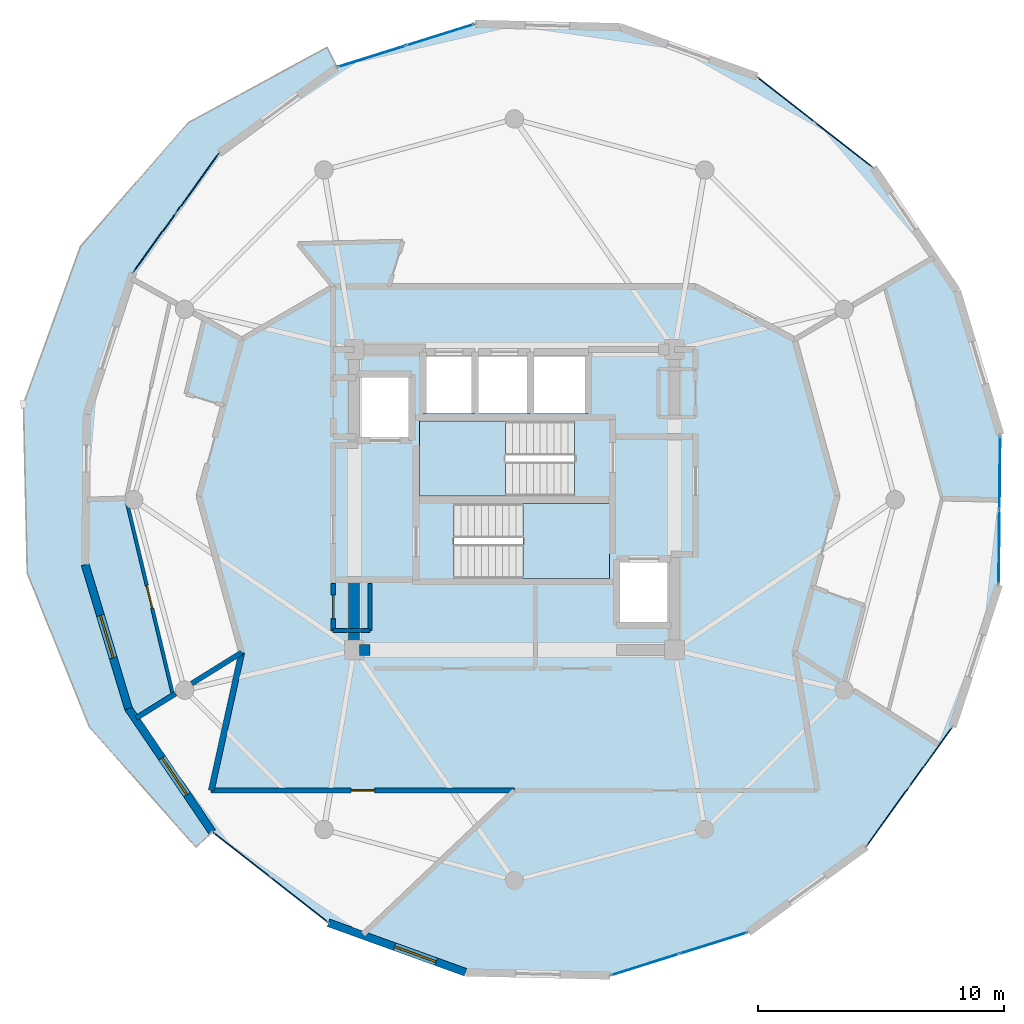
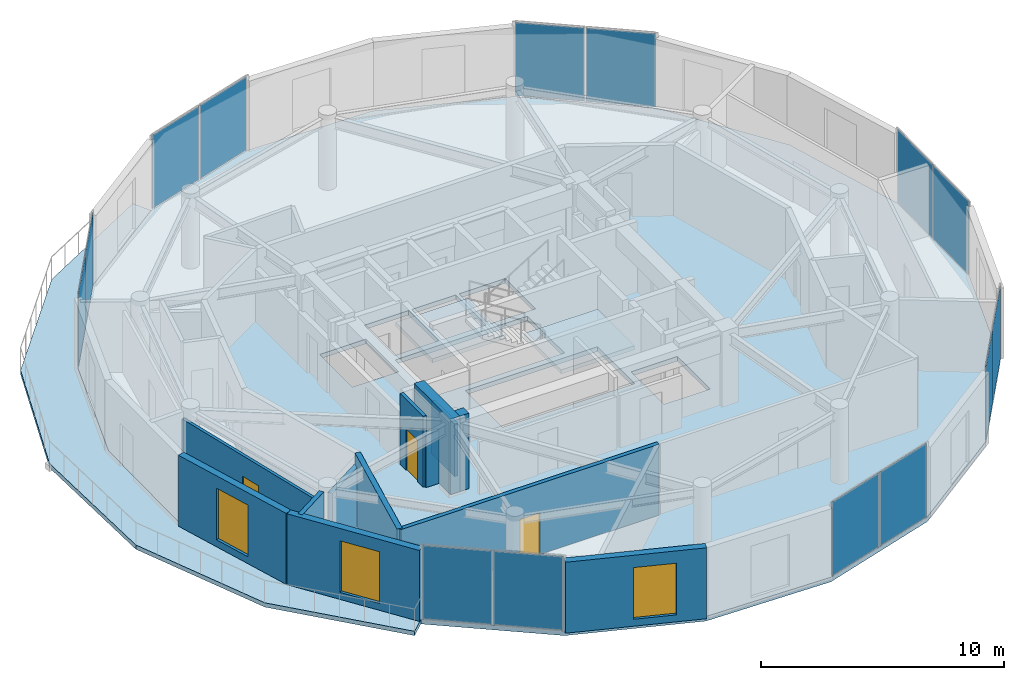
# One storey, part 14 of 19: 14 plates, 13 walls, 4 slabs, 3 doors, 3 windows, 6 openings, 9 elements without a shape of their own.
"""IFC4 building model written with IfcOpenShell, lengths in metres."""

import ifcopenshell
import ifcopenshell.guid

model = None  # the IFC model being written
_history = None  # IfcOwnerHistory: only IFC2X3 demands one
_inside = {}  # id of a spatial element -> (the spatial element, [elements in it])
_under = {}  # id of a project, library or spatial element -> (it, [spatial elements below it])
_declared = {}  # id of a project -> (the project, [libraries it declares])
_typed = {}  # id of a type object -> (the type object, [elements of that type])
_made_of = {}  # id of a material, layer set ... -> (it, [elements and type objects made of it])


def new_model(schema):
    """Start an empty IFC model of exactly this schema.

    Asked for "IFC4X3", IfcOpenShell would pick the latest addendum, in which some entities
    have other attributes; the version numbers below select the first issue.
    IFC2X3 requires an IfcOwnerHistory on every rooted entity: one is made here for all.
    """
    global model, _history
    if schema == "IFC4X3":
        model = ifcopenshell.file(schema_version=(4, 3, 0, 0))
    else:
        model = ifcopenshell.file(schema=schema)
    _inside.clear()
    _under.clear()
    _declared.clear()
    _typed.clear()
    _made_of.clear()
    _history = None
    if model.schema == "IFC2X3":
        org = make("IfcOrganization", Name="unknown")
        user = make(
            "IfcPersonAndOrganization",
            ThePerson=make("IfcPerson", FamilyName="unknown"),
            TheOrganization=org,
        )
        app = make(
            "IfcApplication",
            ApplicationDeveloper=org,
            Version="unknown",
            ApplicationFullName="unknown",
            ApplicationIdentifier="unknown",
        )
        _history = make(
            "IfcOwnerHistory",
            OwningUser=user,
            OwningApplication=app,
            ChangeAction="ADDED",
            CreationDate=0,
        )
    return model


def make(cls, **values):
    """One entity of the class cls with the attributes given. An attribute that is None is left unset."""
    return model.create_entity(
        cls, **{name: value for name, value in values.items() if value is not None}
    )


def rooted(cls, **values):
    """An entity with a GlobalId (a new one), such as an element, a storey or a relation."""
    return make(cls, GlobalId=ifcopenshell.guid.new(), OwnerHistory=_history, **values)


def si_unit(unit_type, name, prefix=None):
    """IfcSIUnit, for example si_unit("LENGTHUNIT", "METRE", prefix="MILLI")."""
    return make("IfcSIUnit", UnitType=unit_type, Prefix=prefix, Name=name)


def assignment(units):
    """IfcUnitAssignment: the units of a project."""
    return None if units is None else make("IfcUnitAssignment", Units=units)


def point(xyz):
    """IfcCartesianPoint."""
    return None if xyz is None else make("IfcCartesianPoint", Coordinates=xyz)


def direction(xyz):
    """IfcDirection."""
    return None if xyz is None else make("IfcDirection", DirectionRatios=xyz)


def frame(location, z_axis=None, x_axis=None):
    """IfcAxis2Placement3D, a coordinate frame: its origin and axes. An axis left out is left unset."""
    return make(
        "IfcAxis2Placement3D",
        Location=point(location),
        Axis=direction(z_axis),
        RefDirection=direction(x_axis),
    )


def frame_2d(location, x_axis=None):
    """IfcAxis2Placement2D, a coordinate frame in the plane: its origin and x axis."""
    return make(
        "IfcAxis2Placement2D", Location=point(location), RefDirection=direction(x_axis)
    )


def origin():
    """The frame at (0, 0, 0) with its axes left unset."""
    return frame((0.0, 0.0, 0.0))


def origin_2d():
    """The frame at (0, 0) in the plane with its x axis left unset."""
    return frame_2d((0.0, 0.0))


def place(relative_to, where):
    """IfcLocalPlacement: puts the frame where relative to a parent placement (None: the world)."""
    return make(
        "IfcLocalPlacement", PlacementRelTo=relative_to, RelativePlacement=where
    )


def context(
    kind, dimensions, precision=None, world=None, true_north=None, identifier=None
):
    """IfcGeometricRepresentationContext, for example the 3D "Model" context."""
    return make(
        "IfcGeometricRepresentationContext",
        ContextIdentifier=identifier,
        ContextType=kind,
        CoordinateSpaceDimension=dimensions,
        Precision=precision,
        WorldCoordinateSystem=world,
        TrueNorth=true_north,
    )


def subcontext(parent, identifier, kind, view, scale=None):
    """IfcGeometricRepresentationSubContext, for example "Body" below "Model"."""
    return make(
        "IfcGeometricRepresentationSubContext",
        ContextIdentifier=identifier,
        ContextType=kind,
        ParentContext=parent,
        TargetScale=scale,
        TargetView=view,
    )


def project(units=None, contexts=None):
    """IfcProject with its units and contexts."""
    return rooted(
        "IfcProject",
        Name="project",
        RepresentationContexts=contexts,
        UnitsInContext=assignment(units),
    )


def spatial(cls, under=None, at=None, **own):
    """A site, building, storey or space (cls), placed at a placement, below another one or the project."""
    s = rooted(cls, ObjectPlacement=at, **own)
    if under is not None:
        _under.setdefault(under.id(), (under, []))[1].append(s)
    return s


def polyline(points):
    """IfcPolyline through the points."""
    return make("IfcPolyline", Points=[point(p) for p in points])


def profile(cls, at=None, kind="AREA", **sizes):
    """A parametric profile (cls). Its sizes go by their IFC names, for example OverallWidth=200.0."""
    return make(cls, ProfileType=kind, Position=at, **sizes)


def rectangle(**sizes):
    """IfcRectangleProfileDef."""
    return profile("IfcRectangleProfileDef", **sizes)


def outline(outer, holes=None, kind="AREA"):
    """IfcArbitraryClosedProfileDef: a profile drawn as a closed curve; with holes, ...WithVoids."""
    if holes is None:
        return make("IfcArbitraryClosedProfileDef", ProfileType=kind, OuterCurve=outer)
    return make(
        "IfcArbitraryProfileDefWithVoids",
        ProfileType=kind,
        OuterCurve=outer,
        InnerCurves=holes,
    )


def extrude(swept, where, along, depth):
    """IfcExtrudedAreaSolid: the profile swept, set in the frame where, extruded along a direction by depth."""
    return make(
        "IfcExtrudedAreaSolid",
        SweptArea=swept,
        Position=where,
        ExtrudedDirection=direction(along),
        Depth=depth,
    )


def shape(context_of_items, identifier, shape_type, items):
    """IfcShapeRepresentation: the items that make up one representation, for example the "Body"."""
    return make(
        "IfcShapeRepresentation",
        ContextOfItems=context_of_items,
        RepresentationIdentifier=identifier,
        RepresentationType=shape_type,
        Items=items,
    )


def source(mapping_origin, context_of_items, identifier, shape_type, items):
    """IfcRepresentationMap: a shape defined once, which mapped items show again and again."""
    return make(
        "IfcRepresentationMap",
        MappingOrigin=mapping_origin,
        MappedRepresentation=shape(context_of_items, identifier, shape_type, items),
    )


def transform(
    local_origin,
    x_axis=None,
    y_axis=None,
    z_axis=None,
    scale=None,
    scale2=None,
    scale3=None,
    uniform=True,
):
    """IfcCartesianTransformationOperator3D, or its non-uniform kind. x_axis, y_axis, z_axis: its Axis1, 2, 3."""
    if uniform:
        return make(
            "IfcCartesianTransformationOperator3D",
            Axis1=direction(x_axis),
            Axis2=direction(y_axis),
            LocalOrigin=point(local_origin),
            Scale=scale,
            Axis3=direction(z_axis),
        )
    return make(
        "IfcCartesianTransformationOperator3DnonUniform",
        Axis1=direction(x_axis),
        Axis2=direction(y_axis),
        LocalOrigin=point(local_origin),
        Scale=scale,
        Axis3=direction(z_axis),
        Scale2=scale2,
        Scale3=scale3,
    )


def mapped(mapping_source, mapping_target):
    """IfcMappedItem: shows the shape of a source again, moved by a transform."""
    return make(
        "IfcMappedItem", MappingSource=mapping_source, MappingTarget=mapping_target
    )


def material(Name=None, Category=None):
    """IfcMaterial."""
    return make("IfcMaterial", Name=Name, Category=Category)


def layer(
    of_material, thickness, ventilated=None, Name=None, Category=None, Priority=None
):
    """IfcMaterialLayer: one layer of a wall or slab, of a material (None: an air gap)."""
    return make(
        "IfcMaterialLayer",
        Material=of_material,
        LayerThickness=thickness,
        IsVentilated=ventilated,
        Name=Name,
        Category=Category,
        Priority=Priority,
    )


def layer_set(layers, Name=None):
    """IfcMaterialLayerSet."""
    return make("IfcMaterialLayerSet", MaterialLayers=layers, LayerSetName=Name)


def made_of(thing, what):
    """Note that an element or type object is made of a material, layer set ...; save() writes the relation."""
    if what is not None:
        _made_of.setdefault(what.id(), (what, []))[1].append(thing)
    return thing


def type_object(cls, material=None, **own):
    """A type object (cls), such as IfcWallType, which elements share."""
    return made_of(rooted(cls, **own), material)


def element(
    cls,
    number,
    at=None,
    inside=None,
    cuts=None,
    type_object=None,
    material=None,
    context=None,
    identifier="Body",
    shape_type=None,
    held_by="IfcProductDefinitionShape",
    body=None,
    shapes=None,
    **own,
):
    """One element of the class cls, such as IfcWall. Its Tag is "e" and its number.

    at: its placement. inside: the storey or other place that contains it. cuts: it is an
    opening in that element (IfcRelVoidsElement). A single representation is given by context,
    identifier, shape_type and body (its items); several are given by shapes. held_by: the class
    of the entity that holds the representations. save() writes the other relations.
    """
    e = rooted(cls, Tag="e%d" % number, ObjectPlacement=at, **own)
    if body is not None:
        shapes = [shape(context, identifier, shape_type, body)]
    if shapes is not None:
        e.Representation = make(held_by, Representations=shapes)
    if inside is not None:
        _inside.setdefault(inside.id(), (inside, []))[1].append(e)
    if cuts is not None:
        rooted(
            "IfcRelVoidsElement", RelatingBuildingElement=cuts, RelatedOpeningElement=e
        )
    if type_object is not None:
        _typed.setdefault(type_object.id(), (type_object, []))[1].append(e)
    return made_of(e, material)


def fill(opening, filler):
    """IfcRelFillsElement: the door or window that sits in an opening."""
    return rooted(
        "IfcRelFillsElement",
        RelatingOpeningElement=opening,
        RelatedBuildingElement=filler,
    )


def aggregate(whole, parts):
    """IfcRelAggregates: a whole, such as a stair, and the parts it consists of."""
    return rooted("IfcRelAggregates", RelatingObject=whole, RelatedObjects=parts)


def save(model, path):
    """Write the relations noted so far, then the file.

    IfcRelAggregates (storeys below a building ...), IfcRelContainedInSpatialStructure (elements
    in a storey), IfcRelDefinesByType, IfcRelAssociatesMaterial and IfcRelDeclares: one each for
    every whole, place, type object, material and project.
    """
    for whole, parts in _under.values():
        aggregate(whole, parts)
    for where, things in _inside.values():
        rooted(
            "IfcRelContainedInSpatialStructure",
            RelatedElements=things,
            RelatingStructure=where,
        )
    for kind, things in _typed.values():
        rooted("IfcRelDefinesByType", RelatedObjects=things, RelatingType=kind)
    for what, things in _made_of.values():
        rooted("IfcRelAssociatesMaterial", RelatedObjects=things, RelatingMaterial=what)
    for by, libraries in _declared.values():
        rooted("IfcRelDeclares", RelatingContext=by, RelatedDefinitions=libraries)
    model.write(path)


model = new_model("IFC4")

# Units and contexts
model_context = context("Model", 3, precision=1e-05, world=origin(), true_north=direction((0.0, 1.0)))
body_context = subcontext(model_context, "Body", "Model", "MODEL_VIEW")
ifc_project = project(units=[si_unit("LENGTHUNIT", "METRE"), si_unit("AREAUNIT", "SQUARE_METRE"), si_unit("VOLUMEUNIT", "CUBIC_METRE"), si_unit("PLANEANGLEUNIT", "RADIAN"), si_unit("MASSUNIT", "GRAM", prefix="KILO")], contexts=[model_context])

# Site, building, storey
site_placement = place(None, origin())
site = spatial("IfcSite", under=ifc_project, at=site_placement, CompositionType="ELEMENT")
building_placement = place(site_placement, origin())
building = spatial("IfcBuilding", under=site, at=building_placement, Name="Solvirekh Grand Hotel", CompositionType="ELEMENT")
storey_placement = place(building_placement, frame((0.0, 0.0, 254.39990234375)))
storey = spatial("IfcBuildingStorey", under=building, at=storey_placement, Name="L66", CompositionType="ELEMENT", Elevation=254.39990234375)

# Slab
ifc_material_1 = material(Name="Concrete C50/60", Category="concrete")
ifc_layer_1 = layer(ifc_material_1, 0.215087890625)
ifc_layer_set_1 = layer_set([ifc_layer_1], Name="Concrete C50/60")
slab_type_1 = type_object("IfcSlabType", Name="ExtCrescentBalc_215", PredefinedType="FLOOR", material=ifc_layer_set_1)
slab_1_placement = place(storey_placement, frame((0.0, 0.0, -0.21484375)))
element("IfcSlab", 1, at=slab_1_placement, inside=storey, type_object=slab_type_1, Name="L66 sweeping crescent balcony slab", PredefinedType="FLOOR", context=body_context, shape_type="SweptSolid", body=[
    extrude(outline(polyline([(-7.597900390625, 18.35107421875), (-13.219970703125, 15.303955078125), (-17.595947265625, 10.2880859375), (-19.91796875, 3.8779296875), (-19.762939453125, -2.968994140625), (-17.239013671875, -9.22412109375), (-12.9150390625, -14.093994140625), (-12.257080078125, -13.47998046875), (-15.657958984375, -8.471923828125), (-17.4140625, -2.635009765625), (-17.35205078125, 3.4599609375), (-15.47998046875, 9.216064453125), (-11.97900390625, 14.070068359375), (-7.193115234375, 17.547119140625), (-7.597900390625, 18.35107421875)])), origin(), (0.0, 0.0, 1.0), 0.21484375),
])

# Stair, slab
ifc_material_2 = material(Name="Concrete C40/50", Category="concrete")
stair_type = type_object("IfcStairType", Name="Stair_Core_1450", PredefinedType="HALF_TURN_STAIR", material=ifc_material_2)
stair_1_placement = place(storey_placement, origin())
stair_1 = element("IfcStair", 2, at=stair_1_placement, inside=storey, type_object=stair_type, Name="L66 Enclosed exit stair ST-1", PredefinedType="HALF_TURN_STAIR")
ifc_layer_2 = layer(ifc_material_2, 0.199951171875)
ifc_layer_set_2 = layer_set([ifc_layer_2], Name="Concrete C40/50")
slab_type_2 = type_object("IfcSlabType", Name="Landing_Stair_200", PredefinedType="LANDING", material=ifc_layer_set_2)
slab_2_placement = place(storey_placement, frame((0.0, 0.0, 1.7001953125)))
slab_2 = element("IfcSlab", 3, at=slab_2_placement, type_object=slab_type_2, Name="ST-1 landing 1", PredefinedType="LANDING", context=body_context, shape_type="SweptSolid", body=[
    extrude(outline(polyline([(0.35009765625, -3.199951171875), (3.85009765625, -3.199951171875), (3.85009765625, -0.14990234375), (0.35009765625, -0.14990234375), (0.35009765625, -3.199951171875)])), origin(), (0.0, 0.0, 1.0), 0.199951171875),
])
aggregate(stair_1, [slab_2])

stair_2_placement = place(storey_placement, origin())
stair_2 = element("IfcStair", 4, at=stair_2_placement, inside=storey, type_object=stair_type, Name="L66 Enclosed exit stair ST-2", PredefinedType="HALF_TURN_STAIR")
slab_3_placement = place(storey_placement, frame((0.0, 0.0, 1.7001953125)))
slab_3 = element("IfcSlab", 5, at=slab_3_placement, type_object=slab_type_2, Name="ST-2 landing 1", PredefinedType="LANDING", context=body_context, shape_type="SweptSolid", body=[
    extrude(outline(polyline([(-0.35009765625, 3.199951171875), (-3.85009765625, 3.199951171875), (-3.85009765625, 0.14990234375), (-0.35009765625, 0.14990234375), (-0.35009765625, 3.199951171875)])), origin(), (0.0, 0.0, 1.0), 0.199951171875),
])
aggregate(stair_2, [slab_3])

# Slab
ifc_layer_3 = layer(ifc_material_2, 0.22998046875)
ifc_layer_set_3 = layer_set([ifc_layer_3], Name="Concrete C40/50")
slab_type_3 = type_object("IfcSlabType", Name="Slab_GuestZ4_230", PredefinedType="FLOOR", material=ifc_layer_set_3)
slab_4_placement = place(storey_placement, frame((0.0, 0.0, -0.22998046875)))
element("IfcSlab", 6, at=slab_4_placement, inside=storey, type_object=slab_type_3, Name="L66 structural floor slab", PredefinedType="FLOOR", context=body_context, shape_type="SweptSolid", body=[
    extrude(outline(polyline([(3.89111328125, -19.305908203125), (9.492919921875, -17.547119140625), (14.279052734375, -14.070068359375), (17.780029296875, -9.216064453125), (19.652099609375, -3.4599609375), (19.714111328125, 2.635009765625), (17.9580078125, 8.471923828125), (14.556884765625, 13.47998046875), (9.843994140625, 17.16796875), (4.280029296875, 19.176025390625), (-1.591064453125, 19.305908203125), (-7.193115234375, 17.547119140625), (-11.97900390625, 14.070068359375), (-15.47998046875, 9.216064453125), (-17.35205078125, 3.4599609375), (-17.4140625, -2.635009765625), (-15.657958984375, -8.471923828125), (-12.257080078125, -13.47998046875), (-7.5439453125, -17.16796875), (-1.97998046875, -19.176025390625), (3.89111328125, -19.305908203125)]), holes=[polyline([(-2.444091796875, -0.14990234375), (3.85009765625, -0.14990234375), (3.85009765625, -3.199951171875), (-2.444091796875, -3.199951171875), (-2.444091796875, -0.14990234375)]), polyline([(2.444091796875, 0.14990234375), (-3.85009765625, 0.14990234375), (-3.85009765625, 3.199951171875), (2.444091796875, 3.199951171875), (2.444091796875, 0.14990234375)]), polyline([(-3.699951171875, 6.0), (-1.60009765625, 6.0), (-1.60009765625, 3.5), (-3.699951171875, 3.5), (-3.699951171875, 6.0)]), polyline([(-1.449951171875, 6.0), (0.64990234375, 6.0), (0.64990234375, 3.5), (-1.449951171875, 3.5), (-1.449951171875, 6.0)]), polyline([(0.800048828125, 6.0), (3.0, 6.0), (3.0, 3.5), (0.800048828125, 3.5), (0.800048828125, 6.0)]), polyline([(-6.35009765625, 5.10009765625), (-4.14990234375, 5.10009765625), (-4.14990234375, 2.39990234375), (-6.35009765625, 2.39990234375), (-6.35009765625, 5.10009765625)]), polyline([(4.14990234375, -2.39990234375), (6.35009765625, -2.39990234375), (6.35009765625, -5.10009765625), (4.14990234375, -5.10009765625), (4.14990234375, -2.39990234375)])]), origin(), (0.0, 0.0, 1.0), 0.22998046875),
])

# Curtain wall, plates
ifc_material_3 = material(Name="Anodized Bronze Aluminium 6063-T6", Category="aluminium")
ifc_layer_4 = layer(ifc_material_3, 0.159912109375)
ifc_layer_set_4 = layer_set([ifc_layer_4], Name="Anodized Bronze Aluminium 6063-T6")
curtain_wall_type = type_object("IfcCurtainWallType", Name="CW_Sys4_HighZoneFlushBronzeCW", PredefinedType="NOTDEFINED", material=ifc_layer_set_4)
curtain_wall_1_placement = place(storey_placement, origin())
curtain_wall_1 = element("IfcCurtainWall", 7, at=curtain_wall_1_placement, inside=storey, type_object=curtain_wall_type, Name="L66 unitised bronze-glass curtain wall CW-L66-C01", PredefinedType="NOTDEFINED")
ifc_material_4 = material(Name="Low-E Tinted Bronze Laminated Glass", Category="aluminium")
ifc_layer_5 = layer(ifc_material_4, 0.033935546875)
ifc_layer_set_5 = layer_set([ifc_layer_5], Name="Low-E Tinted Bronze Laminated Glass")
plate_type = type_object("IfcPlateType", Name="CWPanel_High_34", PredefinedType="CURTAIN_PANEL", material=ifc_layer_set_5)
shared_shape_1 = source(origin(), body_context, "Body", "SweptSolid", [
    extrude(rectangle(XDim=2.845947265625, YDim=0.033935546875, at=origin_2d()), origin(), (0.0, 0.0, 1.0), 3.68994140625),
])
plate_1_placement = place(storey_placement, frame((5.305908203125, -18.86181640625, 0.05517578125), z_axis=(0.0, 0.0, 1.0), x_axis=(0.954073017805, 0.299574158927, 0.0)))
plate_1 = element("IfcPlate", 8, at=plate_1_placement, type_object=plate_type, Name="U04 panel 1.1", PredefinedType="CURTAIN_PANEL", context=body_context, shape_type="MappedRepresentation", body=[
    mapped(shared_shape_1, transform((0.0, 0.0, 0.0), x_axis=(1.0, 0.0, 0.0), y_axis=(0.0, 1.0, 0.0), z_axis=(0.0, 0.0, 1.0), scale=1.0)),
])
plate_2_placement = place(storey_placement, frame((8.078125, -17.9912109375, 0.05517578125), z_axis=(0.0, 0.0, 1.0), x_axis=(0.954073017805, 0.299574158927, 0.0)))
plate_2 = element("IfcPlate", 9, at=plate_2_placement, type_object=plate_type, Name="U04 panel 2.1", PredefinedType="CURTAIN_PANEL", context=body_context, shape_type="MappedRepresentation", body=[
    mapped(shared_shape_1, transform((0.0, 0.0, 0.0), x_axis=(1.0, 0.0, 0.0), y_axis=(0.0, 1.0, 0.0), z_axis=(0.0, 0.0, 1.0), scale=1.0)),
])
aggregate(curtain_wall_1, [plate_1, plate_2])

curtain_wall_2_placement = place(storey_placement, origin())
curtain_wall_2 = element("IfcCurtainWall", 10, at=curtain_wall_2_placement, inside=storey, type_object=curtain_wall_type, Name="L66 unitised bronze-glass curtain wall CW-L66-C11", PredefinedType="NOTDEFINED")
plate_3_placement = place(storey_placement, frame((-3.005859375, 18.86181640625, 0.05517578125), z_axis=(0.0, 0.0, 1.0), x_axis=(-0.954073017805, -0.299574158927, 0.0)))
plate_3 = element("IfcPlate", 11, at=plate_3_placement, type_object=plate_type, Name="U04 panel 1.1", PredefinedType="CURTAIN_PANEL", context=body_context, shape_type="MappedRepresentation", body=[
    mapped(shared_shape_1, transform((0.0, 0.0, 0.0), x_axis=(1.0, 0.0, 0.0), y_axis=(0.0, 1.0, 0.0), z_axis=(0.0, 0.0, 1.0), scale=1.0)),
])
plate_4_placement = place(storey_placement, frame((-5.778076171875, 17.9912109375, 0.05517578125), z_axis=(0.0, 0.0, 1.0), x_axis=(-0.954073017805, -0.299574158927, 0.0)))
plate_4 = element("IfcPlate", 12, at=plate_4_placement, type_object=plate_type, Name="U04 panel 2.1", PredefinedType="CURTAIN_PANEL", context=body_context, shape_type="MappedRepresentation", body=[
    mapped(shared_shape_1, transform((0.0, 0.0, 0.0), x_axis=(1.0, 0.0, 0.0), y_axis=(0.0, 1.0, 0.0), z_axis=(0.0, 0.0, 1.0), scale=1.0)),
])
aggregate(curtain_wall_2, [plate_3, plate_4])

curtain_wall_3_placement = place(storey_placement, origin())
curtain_wall_3 = element("IfcCurtainWall", 13, at=curtain_wall_3_placement, inside=storey, type_object=curtain_wall_type, Name="L66 unitised bronze-glass curtain wall CW-L66-C03", PredefinedType="NOTDEFINED")
shared_shape_2 = source(origin(), body_context, "Body", "SweptSolid", [
    extrude(rectangle(XDim=2.90234375, YDim=0.033935546875, at=origin_2d()), origin(), (0.0, 0.0, 1.0), 3.68994140625),
])
plate_5_placement = place(storey_placement, frame((15.1630859375, -12.84423828125, 0.05517578125), z_axis=(0.0, 0.0, 1.0), x_axis=(0.584977985947, 0.811049169877, 0.0)))
plate_5 = element("IfcPlate", 14, at=plate_5_placement, type_object=plate_type, Name="U04 panel 1.1", PredefinedType="CURTAIN_PANEL", context=body_context, shape_type="MappedRepresentation", body=[
    mapped(shared_shape_2, transform((0.0, 0.0, 0.0), x_axis=(1.0, 0.0, 0.0), y_axis=(0.0, 1.0, 0.0), z_axis=(0.0, 0.0, 1.0), scale=1.0)),
])
plate_6_placement = place(storey_placement, frame((16.89599609375, -10.441650390625, 0.05517578125), z_axis=(0.0, 0.0, 1.0), x_axis=(0.584977985947, 0.811049169877, 0.0)))
plate_6 = element("IfcPlate", 15, at=plate_6_placement, type_object=plate_type, Name="U04 panel 2.1", PredefinedType="CURTAIN_PANEL", context=body_context, shape_type="MappedRepresentation", body=[
    mapped(shared_shape_2, transform((0.0, 0.0, 0.0), x_axis=(1.0, 0.0, 0.0), y_axis=(0.0, 1.0, 0.0), z_axis=(0.0, 0.0, 1.0), scale=1.0)),
])
aggregate(curtain_wall_3, [plate_5, plate_6])

curtain_wall_4_placement = place(storey_placement, origin())
curtain_wall_4 = element("IfcCurtainWall", 16, at=curtain_wall_4_placement, inside=storey, type_object=curtain_wall_type, Name="L66 unitised bronze-glass curtain wall CW-L66-C08", PredefinedType="NOTDEFINED")
plate_7_placement = place(storey_placement, frame((13.366943359375, 14.4111328125, 0.05517578125), z_axis=(0.0, 0.0, 1.0), x_axis=(-0.787540261062, 0.616263204488, 0.0)))
plate_7 = element("IfcPlate", 17, at=plate_7_placement, type_object=plate_type, Name="U04 panel 1.1", PredefinedType="CURTAIN_PANEL", context=body_context, shape_type="MappedRepresentation", body=[
    mapped(shared_shape_2, transform((0.0, 0.0, 0.0), x_axis=(1.0, 0.0, 0.0), y_axis=(0.0, 1.0, 0.0), z_axis=(0.0, 0.0, 1.0), scale=1.0)),
])
plate_8_placement = place(storey_placement, frame((11.0341796875, 16.23681640625, 0.05517578125), z_axis=(0.0, 0.0, 1.0), x_axis=(-0.787540261062, 0.616263204488, 0.0)))
plate_8 = element("IfcPlate", 18, at=plate_8_placement, type_object=plate_type, Name="U04 panel 2.1", PredefinedType="CURTAIN_PANEL", context=body_context, shape_type="MappedRepresentation", body=[
    mapped(shared_shape_2, transform((0.0, 0.0, 0.0), x_axis=(1.0, 0.0, 0.0), y_axis=(0.0, 1.0, 0.0), z_axis=(0.0, 0.0, 1.0), scale=1.0)),
])
aggregate(curtain_wall_4, [plate_7, plate_8])

curtain_wall_5_placement = place(storey_placement, origin())
curtain_wall_5 = element("IfcCurtainWall", 19, at=curtain_wall_5_placement, inside=storey, type_object=curtain_wall_type, Name="L66 unitised bronze-glass curtain wall CW-L66-C13", PredefinedType="NOTDEFINED")
plate_9_placement = place(storey_placement, frame((-12.863037109375, 12.84423828125, 0.05517578125), z_axis=(0.0, 0.0, 1.0), x_axis=(-0.584977985947, -0.811049169877, 0.0)))
plate_9 = element("IfcPlate", 20, at=plate_9_placement, type_object=plate_type, Name="U04 panel 1.1", PredefinedType="CURTAIN_PANEL", context=body_context, shape_type="MappedRepresentation", body=[
    mapped(shared_shape_2, transform((0.0, 0.0, 0.0), x_axis=(1.0, 0.0, 0.0), y_axis=(0.0, 1.0, 0.0), z_axis=(0.0, 0.0, 1.0), scale=1.0)),
])
plate_10_placement = place(storey_placement, frame((-14.595947265625, 10.441650390625, 0.05517578125), z_axis=(0.0, 0.0, 1.0), x_axis=(-0.584977985947, -0.811049169877, 0.0)))
plate_10 = element("IfcPlate", 21, at=plate_10_placement, type_object=plate_type, Name="U04 panel 2.1", PredefinedType="CURTAIN_PANEL", context=body_context, shape_type="MappedRepresentation", body=[
    mapped(shared_shape_2, transform((0.0, 0.0, 0.0), x_axis=(1.0, 0.0, 0.0), y_axis=(0.0, 1.0, 0.0), z_axis=(0.0, 0.0, 1.0), scale=1.0)),
])
aggregate(curtain_wall_5, [plate_9, plate_10])

curtain_wall_6_placement = place(storey_placement, origin())
curtain_wall_6 = element("IfcCurtainWall", 22, at=curtain_wall_6_placement, inside=storey, type_object=curtain_wall_type, Name="L66 unitised bronze-glass curtain wall CW-L66-C18", PredefinedType="NOTDEFINED")
plate_11_placement = place(storey_placement, frame((-11.06689453125, -14.4111328125, 0.05517578125), z_axis=(0.0, 0.0, 1.0), x_axis=(0.787540261062, -0.616263204488, 0.0)))
plate_11 = element("IfcPlate", 23, at=plate_11_placement, type_object=plate_type, Name="U04 panel 1.1", PredefinedType="CURTAIN_PANEL", context=body_context, shape_type="MappedRepresentation", body=[
    mapped(shared_shape_2, transform((0.0, 0.0, 0.0), x_axis=(1.0, 0.0, 0.0), y_axis=(0.0, 1.0, 0.0), z_axis=(0.0, 0.0, 1.0), scale=1.0)),
])
plate_12_placement = place(storey_placement, frame((-8.734130859375, -16.23681640625, 0.05517578125), z_axis=(0.0, 0.0, 1.0), x_axis=(0.787540261062, -0.616263204488, 0.0)))
plate_12 = element("IfcPlate", 24, at=plate_12_placement, type_object=plate_type, Name="U04 panel 2.1", PredefinedType="CURTAIN_PANEL", context=body_context, shape_type="MappedRepresentation", body=[
    mapped(shared_shape_2, transform((0.0, 0.0, 0.0), x_axis=(1.0, 0.0, 0.0), y_axis=(0.0, 1.0, 0.0), z_axis=(0.0, 0.0, 1.0), scale=1.0)),
])
aggregate(curtain_wall_6, [plate_11, plate_12])

curtain_wall_7_placement = place(storey_placement, origin())
curtain_wall_7 = element("IfcCurtainWall", 25, at=curtain_wall_7_placement, inside=storey, type_object=curtain_wall_type, Name="L66 unitised bronze-glass curtain wall CW-L66-C05", PredefinedType="NOTDEFINED")
shared_shape_3 = source(origin(), body_context, "Body", "SweptSolid", [
    extrude(rectangle(XDim=2.957763671875, YDim=0.033935546875, at=origin_2d()), origin(), (0.0, 0.0, 1.0), 3.68994140625),
])
plate_13_placement = place(storey_placement, frame((19.667724609375, -1.921142578125, 0.05517578125), z_axis=(0.0, 0.0, 1.0), x_axis=(0.010171746098, 0.999948266452, 0.0)))
plate_13 = element("IfcPlate", 26, at=plate_13_placement, type_object=plate_type, Name="U04 panel 1.1", PredefinedType="CURTAIN_PANEL", context=body_context, shape_type="MappedRepresentation", body=[
    mapped(shared_shape_3, transform((0.0, 0.0, 0.0), x_axis=(1.0, 0.0, 0.0), y_axis=(0.0, 1.0, 0.0), z_axis=(0.0, 0.0, 1.0), scale=1.0)),
])
plate_14_placement = place(storey_placement, frame((19.6982421875, 1.09619140625, 0.05517578125), z_axis=(0.0, 0.0, 1.0), x_axis=(0.010171746098, 0.999948266452, 0.0)))
plate_14 = element("IfcPlate", 27, at=plate_14_placement, type_object=plate_type, Name="U04 panel 2.1", PredefinedType="CURTAIN_PANEL", context=body_context, shape_type="MappedRepresentation", body=[
    mapped(shared_shape_3, transform((0.0, 0.0, 0.0), x_axis=(1.0, 0.0, 0.0), y_axis=(0.0, 1.0, 0.0), z_axis=(0.0, 0.0, 1.0), scale=1.0)),
])
aggregate(curtain_wall_7, [plate_13, plate_14])

# Walls
ifc_layer_6 = layer(ifc_material_1, 0.449951171875)
ifc_layer_set_6 = layer_set([ifc_layer_6], Name="Concrete C50/60")
wall_type_1 = type_object("IfcWallType", Name="CoreWall_RC450", PredefinedType="SHEAR", material=ifc_layer_set_6)
wall_1_placement = place(storey_placement, frame((-6.27490234375, -6.10009765625, 0.0), z_axis=(0.0, 0.0, 1.0), x_axis=(1.0, 0.0, 0.0)))
element("IfcWall", 28, at=wall_1_placement, inside=storey, type_object=wall_type_1, Name="L66 core corner shear wall SW-S", PredefinedType="SHEAR", context=body_context, shape_type="SweptSolid", body=[
    extrude(rectangle(XDim=0.4248046875, YDim=0.449951171875, at=frame_2d((0.21240234375, 0.0))), origin(), (0.0, 0.0, 1.0), 3.800048828125),
])
wall_2_placement = place(storey_placement, frame((-6.5, -6.324951171875, 0.0), z_axis=(0.0, 0.0, 1.0), x_axis=(0.0, 1.0, 0.0)))
element("IfcWall", 29, at=wall_2_placement, inside=storey, type_object=wall_type_1, Name="L66 core corner shear wall WS-W", PredefinedType="SHEAR", context=body_context, shape_type="SweptSolid", body=[
    extrude(rectangle(XDim=2.974853515625, YDim=0.449951171875, at=frame_2d((1.4873046875, 0.0))), origin(), (0.0, 0.0, 1.0), 3.800048828125),
])

# Wall, opening, window
ifc_material_5 = material(Name="Precast concrete C45/55", Category="concrete")
ifc_layer_7 = layer(ifc_material_5, 0.320068359375)
ifc_layer_set_7 = layer_set([ifc_layer_7], Name="Precast concrete C45/55")
wall_type_2 = type_object("IfcWallType", Name="ExtLobbyWall_RC320", PredefinedType="SOLIDWALL", material=ifc_layer_set_7)
wall_3_placement = place(storey_placement, frame((-15.657958984375, -8.471923828125, 0.0), z_axis=(0.0, 0.0, 1.0), x_axis=(-0.288104770088, 0.957598893824, 0.0)))
wall_3 = element("IfcWall", 30, at=wall_3_placement, inside=storey, type_object=wall_type_2, Name="L66 exterior structural wall chord 16", PredefinedType="SOLIDWALL", context=body_context, shape_type="SweptSolid", body=[
    extrude(rectangle(XDim=6.095458984375, YDim=0.320068359375, at=frame_2d((3.0478515625, 0.0))), origin(), (0.0, 0.0, 1.0), 3.570068359375),
])
opening_1_placement = place(wall_3_placement, frame((2.14794921875, 0.0, 0.35009765625)))
opening_1 = element("IfcOpeningElement", 31, at=opening_1_placement, cuts=wall_3, Name="Opening W02", PredefinedType="OPENING", context=body_context, shape_type="SweptSolid", body=[
    extrude(rectangle(XDim=1.800048828125, YDim=2.60009765625, at=frame_2d((0.89990234375, 1.300048828125))), frame((0.0, 0.169921875, 0.0), z_axis=(0.0, -1.0, 0.0), x_axis=(1.0, 0.0, 0.0)), (0.0, 0.0, 1.0), 0.340087890625),
])
window_type = type_object("IfcWindowType", Name="Win_LobbyExt_1800X2600", PartitioningType="SINGLE_PANEL", PredefinedType="WINDOW", material=ifc_material_4)
window_1_placement = place(opening_1_placement, origin())
window_1 = element("IfcWindow", 32, at=window_1_placement, inside=storey, type_object=window_type, Name="L66 panoramic bronze-framed window 16", OverallHeight=2.60009765625, OverallWidth=1.800048828125, PartitioningType="SINGLE_PANEL", PredefinedType="WINDOW", context=body_context, shape_type="SweptSolid", body=[
    extrude(rectangle(XDim=1.800048828125, YDim=2.60009765625, at=frame_2d((0.89990234375, 1.300048828125))), frame((0.0, 0.030029296875, 0.0), z_axis=(0.0, -1.0, 0.0), x_axis=(1.0, 0.0, 0.0)), (0.0, 0.0, 1.0), 0.06005859375),
])
fill(opening_1, window_1)

wall_4_placement = place(storey_placement, frame((-12.257080078125, -13.47998046875, 0.0), z_axis=(0.0, 0.0, 1.0), x_axis=(-0.561790347822, 0.827279641412, 0.0)))
wall_4 = element("IfcWall", 33, at=wall_4_placement, inside=storey, type_object=wall_type_2, Name="L66 exterior structural wall chord 17", PredefinedType="SOLIDWALL", context=body_context, shape_type="SweptSolid", body=[
    extrude(rectangle(XDim=6.0537109375, YDim=0.320068359375, at=frame_2d((3.02685546875, 0.0))), origin(), (0.0, 0.0, 1.0), 3.570068359375),
])
opening_2_placement = place(wall_4_placement, frame((1.8291015625, 0.0, 0.35009765625)))
opening_2 = element("IfcOpeningElement", 34, at=opening_2_placement, cuts=wall_4, Name="Opening W02", PredefinedType="OPENING", context=body_context, shape_type="SweptSolid", body=[
    extrude(rectangle(XDim=1.800048828125, YDim=2.60009765625, at=frame_2d((0.89990234375, 1.300048828125))), frame((0.0, 0.169921875, 0.0), z_axis=(0.0, -1.0, 0.0), x_axis=(1.0, 0.0, 0.0)), (0.0, 0.0, 1.0), 0.340087890625),
])
window_2_placement = place(opening_2_placement, origin())
window_2 = element("IfcWindow", 35, at=window_2_placement, inside=storey, type_object=window_type, Name="L66 panoramic bronze-framed window 17", OverallHeight=2.60009765625, OverallWidth=1.800048828125, PartitioningType="SINGLE_PANEL", PredefinedType="WINDOW", context=body_context, shape_type="SweptSolid", body=[
    extrude(rectangle(XDim=1.800048828125, YDim=2.60009765625, at=frame_2d((0.89990234375, 1.300048828125))), frame((0.0, 0.030029296875, 0.0), z_axis=(0.0, -1.0, 0.0), x_axis=(1.0, 0.0, 0.0)), (0.0, 0.0, 1.0), 0.06005859375),
])
fill(opening_2, window_2)

wall_5_placement = place(storey_placement, frame((-1.97998046875, -19.176025390625, 0.0), z_axis=(0.0, 0.0, 1.0), x_axis=(-0.940616145843, 0.339472040349, 0.0)))
wall_5 = element("IfcWall", 36, at=wall_5_placement, inside=storey, type_object=wall_type_2, Name="L66 exterior structural wall chord 19", PredefinedType="SOLIDWALL", context=body_context, shape_type="SweptSolid", body=[
    extrude(rectangle(XDim=5.915283203125, YDim=0.320068359375, at=frame_2d((2.95751953125, 0.0))), origin(), (0.0, 0.0, 1.0), 3.570068359375),
])
opening_3_placement = place(wall_5_placement, frame((1.26904296875, 0.0, 0.35009765625)))
opening_3 = element("IfcOpeningElement", 37, at=opening_3_placement, cuts=wall_5, Name="Opening W02", PredefinedType="OPENING", context=body_context, shape_type="SweptSolid", body=[
    extrude(rectangle(XDim=1.800048828125, YDim=2.60009765625, at=frame_2d((0.89990234375, 1.300048828125))), frame((0.0, 0.169921875, 0.0), z_axis=(0.0, -1.0, 0.0), x_axis=(1.0, 0.0, 0.0)), (0.0, 0.0, 1.0), 0.340087890625),
])
window_3_placement = place(opening_3_placement, origin())
window_3 = element("IfcWindow", 38, at=window_3_placement, inside=storey, type_object=window_type, Name="L66 panoramic bronze-framed window 19", OverallHeight=2.60009765625, OverallWidth=1.800048828125, PartitioningType="SINGLE_PANEL", PredefinedType="WINDOW", context=body_context, shape_type="SweptSolid", body=[
    extrude(rectangle(XDim=1.800048828125, YDim=2.60009765625, at=frame_2d((0.89990234375, 1.300048828125))), frame((0.0, 0.030029296875, 0.0), z_axis=(0.0, -1.0, 0.0), x_axis=(1.0, 0.0, 0.0)), (0.0, 0.0, 1.0), 0.06005859375),
])
fill(opening_3, window_3)

# Walls
ifc_material_6 = material(Name="Acoustic Gypsum Partition Assembly")
ifc_layer_8 = layer(ifc_material_6, 0.1650390625)
ifc_layer_set_8 = layer_set([ifc_layer_8], Name="Acoustic Gypsum Partition Assembly")
wall_type_3 = type_object("IfcWallType", Name="Part_BOH_165", PredefinedType="PARTITIONING", material=ifc_layer_set_8)
wall_6_placement = place(storey_placement, frame((-7.35009765625, -5.300048828125, 0.0), z_axis=(0.0, 0.0, 1.0), x_axis=(1.0, 0.0, 0.0)))
element("IfcWall", 39, at=wall_6_placement, inside=storey, type_object=wall_type_3, Name="L66 L66 Butler Service Closet wall 1", PredefinedType="PARTITIONING", context=body_context, shape_type="SweptSolid", body=[
    extrude(rectangle(XDim=1.5, YDim=0.1650390625, at=frame_2d((0.75, 0.0))), origin(), (0.0, 0.0, 1.0), 2.655029296875),
])
wall_7_placement = place(storey_placement, frame((-5.85009765625, -5.300048828125, 0.0), z_axis=(0.0, 0.0, 1.0), x_axis=(0.0, 1.0, 0.0)))
element("IfcWall", 40, at=wall_7_placement, inside=storey, type_object=wall_type_3, Name="L66 L66 Butler Service Closet wall 2", PredefinedType="PARTITIONING", context=body_context, shape_type="SweptSolid", body=[
    extrude(rectangle(XDim=1.900146484375, YDim=0.1650390625, at=frame_2d((0.9501953125, 0.0))), origin(), (0.0, 0.0, 1.0), 2.655029296875),
])

# Wall, opening, door
wall_8_placement = place(storey_placement, frame((-7.35009765625, -3.39990234375, 0.0), z_axis=(0.0, 0.0, 1.0), x_axis=(0.0, -1.0, 0.0)))
wall_8 = element("IfcWall", 41, at=wall_8_placement, inside=storey, type_object=wall_type_3, Name="L66 L66 Butler Service Closet wall 4", PredefinedType="PARTITIONING", context=body_context, shape_type="SweptSolid", body=[
    extrude(rectangle(XDim=1.900146484375, YDim=0.1650390625, at=frame_2d((0.9501953125, 0.0))), origin(), (0.0, 0.0, 1.0), 3.570068359375),
])
opening_4_placement = place(wall_8_placement, frame((0.47509765625, 0.0, 0.0)))
opening_4 = element("IfcOpeningElement", 42, at=opening_4_placement, cuts=wall_8, Name="Opening D10", PredefinedType="OPENING", context=body_context, shape_type="SweptSolid", body=[
    extrude(rectangle(XDim=0.949951171875, YDim=2.10009765625, at=frame_2d((0.47509765625, 1.050048828125))), frame((0.0, 0.092529296875, 0.0), z_axis=(0.0, -1.0, 0.0), x_axis=(1.0, 0.0, 0.0)), (0.0, 0.0, 1.0), 0.18505859375),
])
door_type = type_object("IfcDoorType", Name="Door_RoomInt_950X2100", OperationType="NOTDEFINED", PredefinedType="DOOR", material=ifc_material_3)
door_1_placement = place(opening_4_placement, origin())
door_1 = element("IfcDoor", 43, at=door_1_placement, inside=storey, type_object=door_type, Name="L66 L66 Butler Service Closet door", OperationType="SINGLE_SWING_RIGHT", OverallHeight=2.10009765625, OverallWidth=0.949951171875, PredefinedType="DOOR", context=body_context, shape_type="SweptSolid", body=[
    extrude(rectangle(XDim=0.949951171875, YDim=2.10009765625, at=frame_2d((0.47509765625, 1.050048828125))), frame((0.0, 0.02490234375, 0.0), z_axis=(0.0, -1.0, 0.0), x_axis=(1.0, 0.0, 0.0)), (0.0, 0.0, 1.0), 0.050048828125),
])
fill(opening_4, door_1)

# Wall
ifc_layer_9 = layer(ifc_material_6, 0.239990234375)
ifc_layer_set_9 = layer_set([ifc_layer_9], Name="Acoustic Gypsum Partition Assembly")
wall_type_4 = type_object("IfcWallType", Name="Part_Corridor_240", PredefinedType="PARTITIONING", material=ifc_layer_set_9)
wall_9_placement = place(storey_placement, frame((-11.06494140625, -6.199951171875, 0.0), z_axis=(0.0, 0.0, 1.0), x_axis=(-0.215375028734, -0.976531411168, 0.0)))
element("IfcWall", 44, at=wall_9_placement, inside=storey, type_object=wall_type_4, Name="L66 L66 Cloud View Resident Lounge corridor wall 1", PredefinedType="PARTITIONING", context=body_context, shape_type="SweptSolid", body=[
    extrude(rectangle(XDim=5.734619140625, YDim=0.239990234375, at=frame_2d((2.8671875, 0.0))), origin(), (0.0, 0.0, 1.0), 3.570068359375),
])

# Wall, opening, door
ifc_layer_10 = layer(ifc_material_6, 0.18994140625)
ifc_layer_set_10 = layer_set([ifc_layer_10], Name="Acoustic Gypsum Partition Assembly")
wall_type_5 = type_object("IfcWallType", Name="Part_GuestDemise_190", PredefinedType="PARTITIONING", material=ifc_layer_set_10)
wall_10_placement = place(storey_placement, frame((-12.300048828125, -11.800048828125, 0.0), z_axis=(0.0, 0.0, 1.0), x_axis=(1.0, 0.0, 0.0)))
wall_10 = element("IfcWall", 45, at=wall_10_placement, inside=storey, type_object=wall_type_5, Name="L66 L66 Cloud View Resident Lounge entrance wall", PredefinedType="PARTITIONING", context=body_context, shape_type="SweptSolid", body=[
    extrude(rectangle(XDim=12.300048828125, YDim=0.18994140625, at=frame_2d((6.14990234375, 0.0))), origin(), (0.0, 0.0, 1.0), 3.570068359375),
])
opening_5_placement = place(wall_10_placement, frame((5.675048828125, 0.0, 0.0)))
opening_5 = element("IfcOpeningElement", 46, at=opening_5_placement, cuts=wall_10, Name="Opening D10", PredefinedType="OPENING", context=body_context, shape_type="SweptSolid", body=[
    extrude(rectangle(XDim=0.949951171875, YDim=2.10009765625, at=frame_2d((0.47509765625, 1.050048828125))), frame((0.0, 0.10498046875, 0.0), z_axis=(0.0, -1.0, 0.0), x_axis=(1.0, 0.0, 0.0)), (0.0, 0.0, 1.0), 0.2099609375),
])
door_2_placement = place(opening_5_placement, origin())
door_2 = element("IfcDoor", 47, at=door_2_placement, inside=storey, type_object=door_type, Name="L66 L66 Cloud View Resident Lounge entrance door", OperationType="SINGLE_SWING_RIGHT", OverallHeight=2.10009765625, OverallWidth=0.949951171875, PredefinedType="DOOR", context=body_context, shape_type="SweptSolid", body=[
    extrude(rectangle(XDim=0.949951171875, YDim=2.10009765625, at=frame_2d((0.47509765625, 1.050048828125))), frame((0.0, 0.02490234375, 0.0), z_axis=(0.0, -1.0, 0.0), x_axis=(1.0, 0.0, 0.0)), (0.0, 0.0, 1.0), 0.050048828125),
])
fill(opening_5, door_2)

ifc_layer_11 = layer(ifc_material_6, 0.135009765625)
ifc_layer_set_11 = layer_set([ifc_layer_11], Name="Acoustic Gypsum Partition Assembly")
wall_type_6 = type_object("IfcWallType", Name="Part_RoomInt_135", PredefinedType="PARTITIONING", material=ifc_layer_set_11)
wall_11_placement = place(storey_placement, frame((-15.756103515625, 0.052001953125, 0.0), z_axis=(0.0, 0.0, 1.0), x_axis=(0.232540176205, -0.972586791217, 0.0)))
wall_11 = element("IfcWall", 48, at=wall_11_placement, inside=storey, type_object=wall_type_6, Name="L66 Executive Suite 6802 Panorama Suite Study bedroom screen wall", PredefinedType="PARTITIONING", context=body_context, shape_type="SweptSolid", body=[
    extrude(rectangle(XDim=8.205810546875, YDim=0.135009765625, at=frame_2d((4.10302734375, 0.0))), origin(), (0.0, 0.0, 1.0), 3.13818359375),
])
opening_6_placement = place(wall_11_placement, frame((3.6279296875, 0.0, 0.0)))
opening_6 = element("IfcOpeningElement", 49, at=opening_6_placement, cuts=wall_11, Name="Opening D10", PredefinedType="OPENING", context=body_context, shape_type="SweptSolid", body=[
    extrude(rectangle(XDim=0.949951171875, YDim=2.10009765625, at=frame_2d((0.47509765625, 1.050048828125))), frame((0.0, 0.07763671875, 0.0), z_axis=(0.0, -1.0, 0.0), x_axis=(1.0, 0.0, 0.0)), (0.0, 0.0, 1.0), 0.155029296875),
])
door_3_placement = place(opening_6_placement, origin())
door_3 = element("IfcDoor", 50, at=door_3_placement, inside=storey, type_object=door_type, Name="L66 Executive Suite 6802 Panorama Suite Study master bedroom door", OperationType="SINGLE_SWING_LEFT", OverallHeight=2.10009765625, OverallWidth=0.949951171875, PredefinedType="DOOR", context=body_context, shape_type="SweptSolid", body=[
    extrude(rectangle(XDim=0.949951171875, YDim=2.10009765625, at=frame_2d((0.47509765625, 1.050048828125))), frame((0.0, 0.02490234375, 0.0), z_axis=(0.0, -1.0, 0.0), x_axis=(1.0, 0.0, 0.0)), (0.0, 0.0, 1.0), 0.050048828125),
])
fill(opening_6, door_3)

# Walls
ifc_layer_12 = layer(ifc_material_6, 0.2099609375)
ifc_layer_set_12 = layer_set([ifc_layer_12], Name="Acoustic Gypsum Partition Assembly")
wall_type_7 = type_object("IfcWallType", Name="Part_SuiteDemise_210", PredefinedType="PARTITIONING", material=ifc_layer_set_12)
wall_12_placement = place(storey_placement, frame((-11.06494140625, -6.199951171875, 0.0), z_axis=(0.0, 0.0, 1.0), x_axis=(-0.849325046487, -0.527870216445, 0.0)))
element("IfcWall", 51, at=wall_12_placement, inside=storey, type_object=wall_type_7, Name="L66 suite radial wall 8 (A)", PredefinedType="PARTITIONING", context=body_context, shape_type="SweptSolid", body=[
    extrude(rectangle(XDim=2.38330078125, YDim=0.2099609375, at=frame_2d((1.191650390625, 0.0))), origin(), (0.0, 0.0, 1.0), 3.010986328125),
])
wall_13_placement = place(storey_placement, frame((-13.748046875, -7.866943359375, 0.0), z_axis=(0.0, 0.0, 1.0), x_axis=(-0.849315201444, -0.527886056451, 0.0)))
element("IfcWall", 52, at=wall_13_placement, inside=storey, type_object=wall_type_7, Name="L66 suite radial wall 8 (B)", PredefinedType="PARTITIONING", context=body_context, shape_type="SweptSolid", body=[
    extrude(rectangle(XDim=1.88134765625, YDim=0.2099609375, at=frame_2d((0.940673828125, 0.0))), origin(), (0.0, 0.0, 1.0), 3.570068359375),
])

save(model, "model.ifc")
